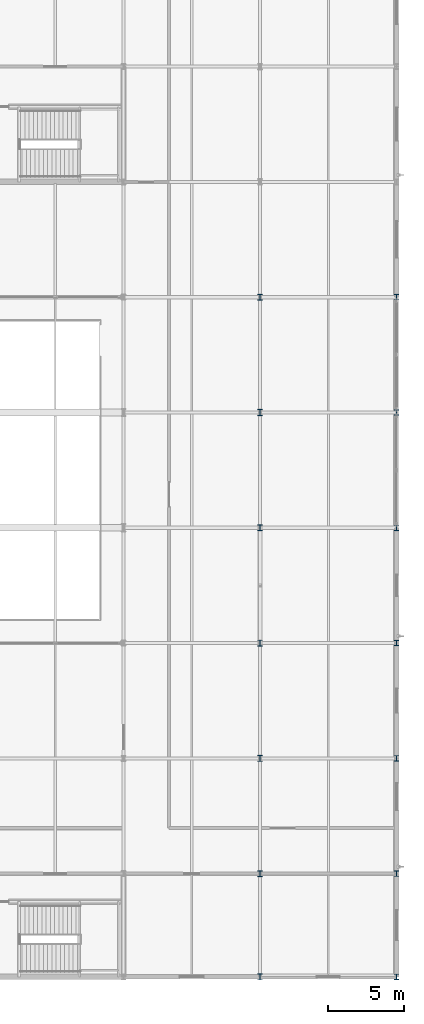
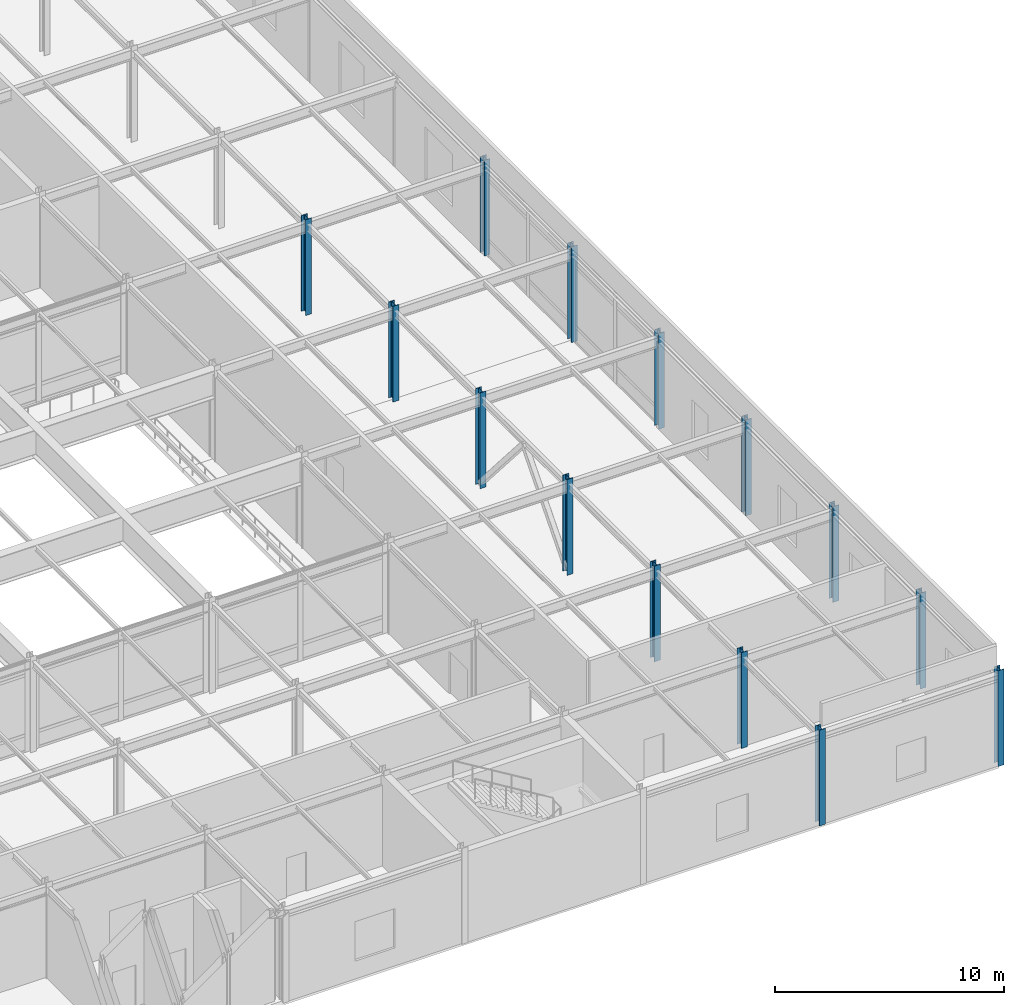
# One storey, part 12 of 79: 14 columns.
"""IFC4 building model written with IfcOpenShell, lengths in metres."""

from ifc_helpers import new_model, si_unit, direction, frame, origin, origin_2d, place, context, subcontext, project, spatial, i_section, extrude, material, material_profile, profile_set, type_object, element, save


model = new_model("IFC4")

# Units and contexts
model_context = context("Model", 3, precision=1e-05, world=origin(), true_north=direction((0.0, 1.0)))
body_context = subcontext(model_context, "Body", "Model", "MODEL_VIEW")
ifc_project = project(units=[si_unit("LENGTHUNIT", "METRE"), si_unit("AREAUNIT", "SQUARE_METRE"), si_unit("VOLUMEUNIT", "CUBIC_METRE"), si_unit("PLANEANGLEUNIT", "RADIAN"), si_unit("MASSUNIT", "GRAM", prefix="KILO")], contexts=[model_context])

# Site, building, storey
site_placement = place(None, origin())
site = spatial("IfcSite", under=ifc_project, at=site_placement, CompositionType="ELEMENT")
building_placement = place(site_placement, origin())
building = spatial("IfcBuilding", under=site, at=building_placement, Name="Shalkamar Park Central Library", CompositionType="ELEMENT")
storey_placement = place(building_placement, frame((0.0, 0.0, 10.5)))
storey = spatial("IfcBuildingStorey", under=building, at=storey_placement, Name="L03", CompositionType="ELEMENT", Elevation=10.5)

# Columns
ifc_material = material(Name="Steel S355", Category="steel")
ifc_material_profile_1 = material_profile(ifc_material, i_section(OverallWidth=0.300048828125, OverallDepth=0.360107421875, WebThickness=0.012451171875, FlangeThickness=0.0224609375, FilletRadius=0.027099609375, at=origin_2d()), Name="HEB 360")
ifc_profile_set_1 = profile_set([ifc_material_profile_1], Name="Steel S355")
column_type_1 = type_object("IfcColumnType", Name="Column Steel HEB360", PredefinedType="COLUMN", material=ifc_profile_set_1)
for number, where, z_axis, x_axis, name in (
    (1, (273.0, 248.39990234375, 0.0), (0.0, 0.0, 1.0), (1.0, 0.0, 0.0), "Column 20/B (L03)"),
    (2, (273.0, 255.199951171875, 0.0), (0.0, 0.0, 1.0), (1.0, 0.0, 0.0), "Column 20/C (L03)"),
    (3, (273.0, 262.800048828125, 0.0), (0.0, 0.0, 1.0), (1.0, 0.0, 0.0), "Column 20/D (L03)"),
    (4, (273.0, 270.39990234375, 0.0), (0.0, 0.0, 1.0), (1.0, 0.0, 0.0), "Column 20/E (L03)"),
    (5, (273.0, 278.0, 0.0), (0.0, 0.0, 1.0), (1.0, 0.0, 0.0), "Column 20/F (L03)"),
    (6, (273.0, 285.60009765625, 0.0), (0.0, 0.0, 1.0), (1.0, 0.0, 0.0), "Column 20/G (L03)"),
    (7, (273.0, 293.199951171875, 0.0), (0.0, 0.0, 1.0), (1.0, 0.0, 0.0), "Column 20/H (L03)"),
):
    element("IfcColumn", number, at=place(storey_placement, frame(where, z_axis=z_axis, x_axis=x_axis)), inside=storey, type_object=column_type_1, Name=name, PredefinedType="COLUMN", context=body_context, shape_type="SweptSolid", body=[
        extrude(i_section(OverallWidth=0.300048828125, OverallDepth=0.360107421875, WebThickness=0.012451171875, FlangeThickness=0.0224609375, FilletRadius=0.027099609375, at=origin_2d()), origin(), (0.0, 0.0, 1.0), 5.10009765625),
    ])
ifc_material_profile_2 = material_profile(ifc_material, i_section(OverallWidth=0.300048828125, OverallDepth=0.39990234375, WebThickness=0.013427734375, FlangeThickness=0.02392578125, FilletRadius=0.027099609375, at=origin_2d()), Name="HEB 400")
ifc_profile_set_2 = profile_set([ifc_material_profile_2], Name="Steel S355")
column_type_2 = type_object("IfcColumnType", Name="Column Steel HEB400", PredefinedType="COLUMN", material=ifc_profile_set_2)
for number, where, z_axis, x_axis, name in (
    (8, (264.0, 248.39990234375, 0.0), (0.0, 0.0, 1.0), (1.0, 0.0, 0.0), "Column 19/B (L03)"),
    (9, (264.0, 255.199951171875, 0.0), (0.0, 0.0, 1.0), (1.0, 0.0, 0.0), "Column 19/C (L03)"),
    (10, (264.0, 262.800048828125, 0.0), (0.0, 0.0, 1.0), (1.0, 0.0, 0.0), "Column 19/D (L03)"),
    (11, (264.0, 270.39990234375, 0.0), (0.0, 0.0, 1.0), (1.0, 0.0, 0.0), "Column 19/E (L03)"),
    (12, (264.0, 278.0, 0.0), (0.0, 0.0, 1.0), (1.0, 0.0, 0.0), "Column 19/F (L03)"),
    (13, (264.0, 285.60009765625, 0.0), (0.0, 0.0, 1.0), (1.0, 0.0, 0.0), "Column 19/G (L03)"),
    (14, (264.0, 293.199951171875, 0.0), (0.0, 0.0, 1.0), (1.0, 0.0, 0.0), "Column 19/H (L03)"),
):
    element("IfcColumn", number, at=place(storey_placement, frame(where, z_axis=z_axis, x_axis=x_axis)), inside=storey, type_object=column_type_2, Name=name, PredefinedType="COLUMN", context=body_context, shape_type="SweptSolid", body=[
        extrude(i_section(OverallWidth=0.300048828125, OverallDepth=0.39990234375, WebThickness=0.013427734375, FlangeThickness=0.02392578125, FilletRadius=0.027099609375, at=origin_2d()), origin(), (0.0, 0.0, 1.0), 5.10009765625),
    ])

save(model, "model.ifc")
